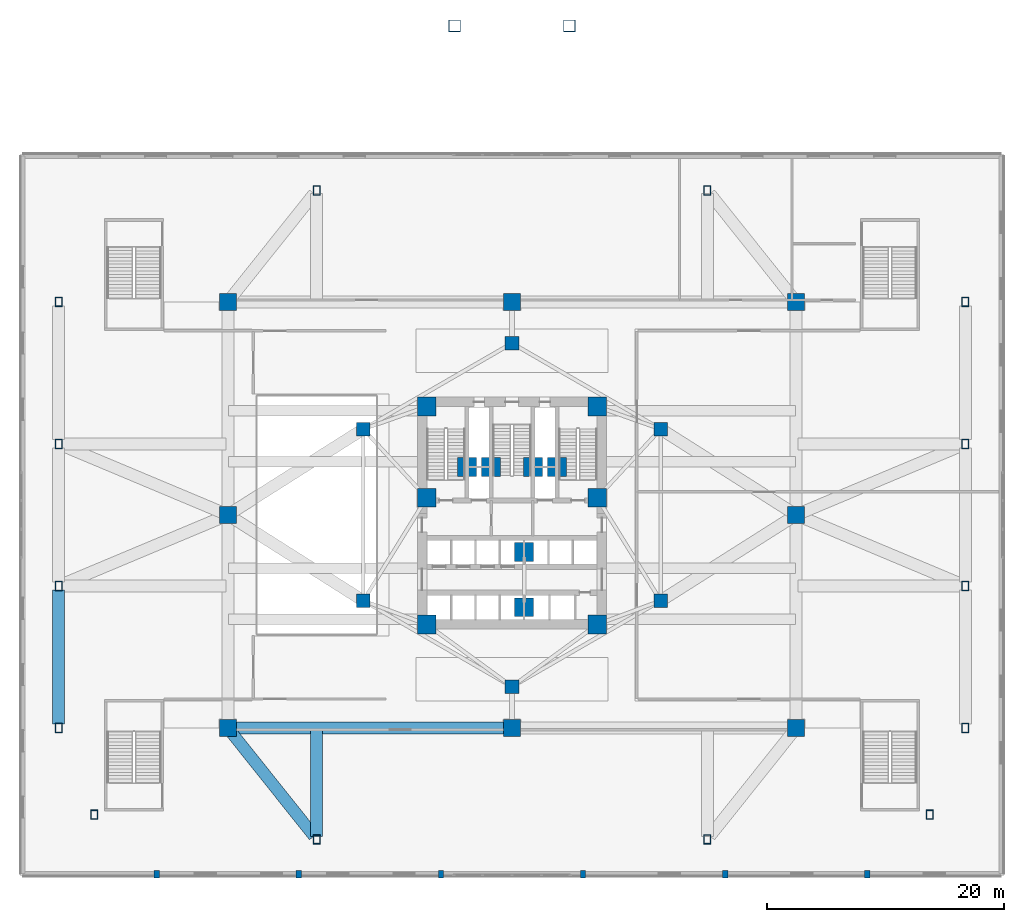
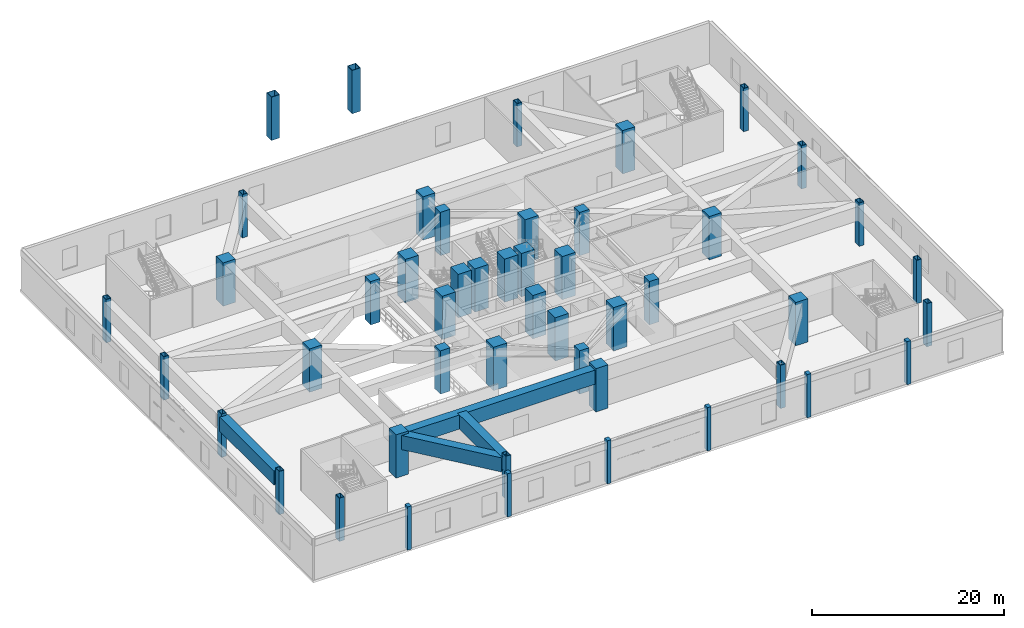
# One storey, part 1 of 23: 48 columns, 4 beams.
"""IFC4 building model written with IfcOpenShell, lengths in metres."""

from ifc_helpers import new_model, si_unit, direction, frame, origin, origin_2d, place, context, subcontext, project, spatial, rectangle, hollow_rectangle, extrude, material, material_profile, profile_set, type_object, element, save


model = new_model("IFC4")

# Units and contexts
model_context = context("Model", 3, precision=1e-05, world=origin(), true_north=direction((0.0, 1.0)))
body_context = subcontext(model_context, "Body", "Model", "MODEL_VIEW")
ifc_project = project(units=[si_unit("LENGTHUNIT", "METRE"), si_unit("AREAUNIT", "SQUARE_METRE"), si_unit("VOLUMEUNIT", "CUBIC_METRE"), si_unit("PLANEANGLEUNIT", "RADIAN"), si_unit("MASSUNIT", "GRAM", prefix="KILO")], contexts=[model_context])

# Site, building, storey
site_placement = place(None, origin())
site = spatial("IfcSite", under=ifc_project, at=site_placement, CompositionType="ELEMENT")
building_placement = place(site_placement, origin())
building = spatial("IfcBuilding", under=site, at=building_placement, Name="Apsidion Concourse Tower", CompositionType="ELEMENT")
storey_placement = place(building_placement, frame((0.0, 0.0, 6.0)))
storey = spatial("IfcBuildingStorey", under=building, at=storey_placement, Name="L01", CompositionType="ELEMENT", Elevation=6.0)

# Columns
ifc_material_1 = material(Name="Structural steel ASTM A572 Grade 50", Category="steel")
ifc_material_profile_1 = material_profile(ifc_material_1, hollow_rectangle(XDim=1.0, YDim=1.0, WallThickness=0.06005859375, at=origin_2d()), Name="BOX1000X1000X60")
ifc_profile_set_1 = profile_set([ifc_material_profile_1], Name="Structural steel ASTM A572 Grade 50")
column_type_1 = type_object("IfcColumnType", Name="COL-BOX-1000", PredefinedType="COLUMN", material=ifc_profile_set_1)
for number, where, z_axis, x_axis, name in (
    (1, (-4.845703125, 41.306884765625, 0.0), (0.0, 0.0, 1.0), (1.0, 0.0, 0.0), "L01 North Forecourt Prow Colonnade Column PRW-W"),
    (2, (4.845703125, 41.306884765625, 0.0), (0.0, 0.0, 1.0), (1.0, 0.0, 0.0), "L01 North Forecourt Prow Colonnade Column PRW-E"),
):
    element("IfcColumn", number, at=place(storey_placement, frame(where, z_axis=z_axis, x_axis=x_axis)), inside=storey, type_object=column_type_1, Name=name, PredefinedType="COLUMN", context=body_context, shape_type="SweptSolid", body=[
        extrude(hollow_rectangle(XDim=1.0, YDim=1.0, WallThickness=0.06005859375, at=origin_2d()), origin(), (0.0, 0.0, 1.0), 5.5),
    ])
ifc_material_profile_2 = material_profile(ifc_material_1, hollow_rectangle(XDim=0.60009765625, YDim=0.800048828125, WallThickness=0.050048828125, at=origin_2d()), Name="BOX800X600X50")
ifc_profile_set_2 = profile_set([ifc_material_profile_2], Name="Structural steel ASTM A572 Grade 50")
column_type_2 = type_object("IfcColumnType", Name="COL-BOX-800", PredefinedType="COLUMN", material=ifc_profile_set_2)
for number, where, z_axis, x_axis, name in (
    (3, (-38.300048828125, -18.0, 0.0), (0.0, 0.0, 1.0), (1.0, 0.0, 0.0), "L01 Podium Perimeter Column PC01"),
    (4, (-38.300048828125, -6.0, 0.0), (0.0, 0.0, 1.0), (1.0, 0.0, 0.0), "L01 Podium Perimeter Column PC02"),
    (5, (-38.300048828125, 6.0, 0.0), (0.0, 0.0, 1.0), (1.0, 0.0, 0.0), "L01 Podium Perimeter Column PC03"),
    (6, (-38.300048828125, 18.0, 0.0), (0.0, 0.0, 1.0), (1.0, 0.0, 0.0), "L01 Podium Perimeter Column PC04"),
    (7, (38.300048828125, -18.0, 0.0), (0.0, 0.0, 1.0), (1.0, 0.0, 0.0), "L01 Podium Perimeter Column PC05"),
    (8, (38.300048828125, -6.0, 0.0), (0.0, 0.0, 1.0), (1.0, 0.0, 0.0), "L01 Podium Perimeter Column PC06"),
    (9, (38.300048828125, 6.0, 0.0), (0.0, 0.0, 1.0), (1.0, 0.0, 0.0), "L01 Podium Perimeter Column PC07"),
    (10, (38.300048828125, 18.0, 0.0), (0.0, 0.0, 1.0), (1.0, 0.0, 0.0), "L01 Podium Perimeter Column PC08"),
    (11, (-16.5, -27.39990234375, 0.0), (0.0, 0.0, 1.0), (1.0, 0.0, 0.0), "L01 Podium Perimeter Column PC09"),
    (12, (16.5, -27.39990234375, 0.0), (0.0, 0.0, 1.0), (1.0, 0.0, 0.0), "L01 Podium Perimeter Column PC10"),
    (13, (-16.5, 27.39990234375, 0.0), (0.0, 0.0, 1.0), (1.0, 0.0, 0.0), "L01 Podium Perimeter Column PC11"),
    (14, (16.5, 27.39990234375, 0.0), (0.0, 0.0, 1.0), (1.0, 0.0, 0.0), "L01 Podium Perimeter Column PC12"),
    (15, (-35.300048828125, -25.320068359375, 0.0), (0.0, 0.0, 1.0), (1.0, 0.0, 0.0), "L01 Podium South Corner Column SWCR-W"),
    (16, (35.300048828125, -25.320068359375, 0.0), (0.0, 0.0, 1.0), (1.0, 0.0, 0.0), "L01 Podium South Corner Column SWCR-E"),
):
    element("IfcColumn", number, at=place(storey_placement, frame(where, z_axis=z_axis, x_axis=x_axis)), inside=storey, type_object=column_type_2, Name=name, PredefinedType="COLUMN", context=body_context, shape_type="SweptSolid", body=[
        extrude(hollow_rectangle(XDim=0.60009765625, YDim=0.800048828125, WallThickness=0.050048828125, at=origin_2d()), origin(), (0.0, 0.0, 1.0), 5.5),
    ])
ifc_material_2 = material(Name="Precast concrete C40/50", Category="concrete")
ifc_material_profile_3 = material_profile(ifc_material_2, rectangle(XDim=0.449951171875, YDim=0.60009765625, at=origin_2d()), Name="RC 600x450")
ifc_profile_set_3 = profile_set([ifc_material_profile_3], Name="Precast concrete C40/50")
column_type_3 = type_object("IfcColumnType", Name="COL-PIL-600", PredefinedType="PILASTER", material=ifc_profile_set_3)
for number, where, z_axis, x_axis, name in (
    (17, (-30.0, -30.35009765625, 0.0), (0.0, 0.0, 1.0), (1.0, 0.0, 0.0), "L01 Street Concourse Stone Pilaster PIL-01"),
    (18, (-18.0, -30.35009765625, 0.0), (0.0, 0.0, 1.0), (1.0, 0.0, 0.0), "L01 Street Concourse Stone Pilaster PIL-02"),
    (19, (-6.0, -30.35009765625, 0.0), (0.0, 0.0, 1.0), (1.0, 0.0, 0.0), "L01 Street Concourse Stone Pilaster PIL-03"),
    (20, (6.0, -30.35009765625, 0.0), (0.0, 0.0, 1.0), (1.0, 0.0, 0.0), "L01 Street Concourse Stone Pilaster PIL-04"),
    (21, (18.0, -30.35009765625, 0.0), (0.0, 0.0, 1.0), (1.0, 0.0, 0.0), "L01 Street Concourse Stone Pilaster PIL-05"),
    (22, (30.0, -30.35009765625, 0.0), (0.0, 0.0, 1.0), (1.0, 0.0, 0.0), "L01 Street Concourse Stone Pilaster PIL-06"),
):
    element("IfcColumn", number, at=place(storey_placement, frame(where, z_axis=z_axis, x_axis=x_axis)), inside=storey, type_object=column_type_3, Name=name, PredefinedType="PILASTER", context=body_context, shape_type="SweptSolid", body=[
        extrude(rectangle(XDim=0.449951171875, YDim=0.60009765625, at=origin_2d()), origin(), (0.0, 0.0, 1.0), 5.5),
    ])
ifc_material_3 = material(Name="Concrete C50/60", Category="concrete")
ifc_material_profile_4 = material_profile(ifc_material_3, rectangle(XDim=1.14990234375, YDim=1.14990234375, at=origin_2d()), Name="RC 1150x1150")
ifc_profile_set_4 = profile_set([ifc_material_profile_4], Name="Concrete C50/60")
column_type_4 = type_object("IfcColumnType", Name="COL-RC-1150", PredefinedType="COLUMN", material=ifc_profile_set_4)
for number, where, z_axis, x_axis, name in (
    (23, (-12.56005859375, -7.25, 0.0), (0.0, 0.0, 1.0), (1.0, 0.0, 0.0), "L01 Interior Spine Column IC1"),
    (24, (12.56005859375, -7.25, 0.0), (0.0, 0.0, 1.0), (1.0, 0.0, 0.0), "L01 Interior Spine Column IC2"),
    (25, (12.56005859375, 7.25, 0.0), (0.0, 0.0, 1.0), (1.0, 0.0, 0.0), "L01 Interior Spine Column IC3"),
    (26, (0.0, 14.5, 0.0), (0.0, 0.0, 1.0), (1.0, 0.0, 0.0), "L01 Interior Spine Column IC4"),
    (27, (-12.56005859375, 7.25, 0.0), (0.0, 0.0, 1.0), (1.0, 0.0, 0.0), "L01 Interior Spine Column IC5"),
    (28, (0.0, -14.5, 0.0), (0.0, 0.0, 1.0), (1.0, 0.0, 0.0), "L01 Interior Spine Column IC6"),
):
    element("IfcColumn", number, at=place(storey_placement, frame(where, z_axis=z_axis, x_axis=x_axis)), inside=storey, type_object=column_type_4, Name=name, PredefinedType="COLUMN", context=body_context, shape_type="SweptSolid", body=[
        extrude(rectangle(XDim=1.14990234375, YDim=1.14990234375, at=origin_2d()), origin(), (0.0, 0.0, 1.0), 5.5),
    ])
ifc_material_4 = material(Name="Concrete C60/75", Category="concrete")
ifc_material_profile_5 = material_profile(ifc_material_4, rectangle(XDim=1.449951171875, YDim=1.449951171875, at=origin_2d()), Name="RC 1450x1450")
ifc_profile_set_5 = profile_set([ifc_material_profile_5], Name="Concrete C60/75")
column_type_5 = type_object("IfcColumnType", Name="COL-RC-1450", PredefinedType="COLUMN", material=ifc_profile_set_5)
for number, where, z_axis, x_axis, name in (
    (29, (-24.0, -18.0, 0.0), (0.0, 0.0, 1.0), (1.0, 0.0, 0.0), "L01 Podium Mega-Column MC1"),
    (30, (24.0, -18.0, 0.0), (0.0, 0.0, 1.0), (1.0, 0.0, 0.0), "L01 Podium Mega-Column MC2"),
    (31, (-24.0, 0.0, 0.0), (0.0, 0.0, 1.0), (1.0, 0.0, 0.0), "L01 Podium Mega-Column MC3"),
    (32, (24.0, 0.0, 0.0), (0.0, 0.0, 1.0), (1.0, 0.0, 0.0), "L01 Podium Mega-Column MC4"),
    (33, (-24.0, 18.0, 0.0), (0.0, 0.0, 1.0), (1.0, 0.0, 0.0), "L01 Podium Mega-Column MC5"),
    (34, (24.0, 18.0, 0.0), (0.0, 0.0, 1.0), (1.0, 0.0, 0.0), "L01 Podium Mega-Column MC6"),
    (35, (0.0, -18.0, 0.0), (0.0, 0.0, 1.0), (1.0, 0.0, 0.0), "L01 Podium Mega-Column MC7"),
    (36, (0.0, 18.0, 0.0), (0.0, 0.0, 1.0), (1.0, 0.0, 0.0), "L01 Podium Mega-Column MC8"),
):
    element("IfcColumn", number, at=place(storey_placement, frame(where, z_axis=z_axis, x_axis=x_axis)), inside=storey, type_object=column_type_5, Name=name, PredefinedType="COLUMN", context=body_context, shape_type="SweptSolid", body=[
        extrude(rectangle(XDim=1.449951171875, YDim=1.449951171875, at=origin_2d()), origin(), (0.0, 0.0, 1.0), 5.5),
    ])
ifc_material_profile_6 = material_profile(ifc_material_4, rectangle(XDim=1.60009765625, YDim=1.60009765625, at=origin_2d()), Name="RC 1600x1600")
ifc_profile_set_6 = profile_set([ifc_material_profile_6], Name="Concrete C60/75")
column_type_6 = type_object("IfcColumnType", Name="COL-RC-1600", PredefinedType="COLUMN", material=ifc_profile_set_6)
for number, where, z_axis, x_axis, name in (
    (37, (-7.199951171875, -9.25, 0.0), (0.0, 0.0, 1.0), (1.0, 0.0, 0.0), "L01 Core Super-Column SC1"),
    (38, (7.199951171875, -9.25, 0.0), (0.0, 0.0, 1.0), (1.0, 0.0, 0.0), "L01 Core Super-Column SC2"),
    (39, (7.199951171875, 1.449951171875, 0.0), (0.0, 0.0, 1.0), (1.0, 0.0, 0.0), "L01 Core Super-Column SC3"),
    (40, (7.199951171875, 9.14990234375, 0.0), (0.0, 0.0, 1.0), (1.0, 0.0, 0.0), "L01 Core Super-Column SC4"),
    (41, (-7.199951171875, 9.14990234375, 0.0), (0.0, 0.0, 1.0), (1.0, 0.0, 0.0), "L01 Core Super-Column SC5"),
    (42, (-7.199951171875, 1.449951171875, 0.0), (0.0, 0.0, 1.0), (1.0, 0.0, 0.0), "L01 Core Super-Column SC6"),
    (43, (-3.800048828125, 4.050048828125, 0.0), (0.0, 0.0, 1.0), (1.0, 0.0, 0.0), "L01 Core Super-Column CC1"),
    (44, (3.800048828125, 4.050048828125, 0.0), (0.0, 0.0, 1.0), (1.0, 0.0, 0.0), "L01 Core Super-Column CC2"),
    (45, (-1.77490234375, 4.050048828125, 0.0), (0.0, 0.0, 1.0), (1.0, 0.0, 0.0), "L01 Core Super-Column CC3"),
    (46, (1.77490234375, 4.050048828125, 0.0), (0.0, 0.0, 1.0), (1.0, 0.0, 0.0), "L01 Core Super-Column CC4"),
    (47, (1.02490234375, -3.14990234375, 0.0), (0.0, 0.0, 1.0), (1.0, 0.0, 0.0), "L01 Core Super-Column CC5"),
    (48, (1.02490234375, -7.800048828125, 0.0), (0.0, 0.0, 1.0), (1.0, 0.0, 0.0), "L01 Core Super-Column CC6"),
):
    element("IfcColumn", number, at=place(storey_placement, frame(where, z_axis=z_axis, x_axis=x_axis)), inside=storey, type_object=column_type_6, Name=name, PredefinedType="COLUMN", context=body_context, shape_type="SweptSolid", body=[
        extrude(rectangle(XDim=1.60009765625, YDim=1.60009765625, at=origin_2d()), origin(), (0.0, 0.0, 1.0), 5.5),
    ])

# Beams
ifc_material_profile_7 = material_profile(ifc_material_1, hollow_rectangle(XDim=1.0, YDim=1.800048828125, WallThickness=0.080078125, at=origin_2d()), Name="BOX1800X1000X80")
ifc_profile_set_7 = profile_set([ifc_material_profile_7], Name="Structural steel ASTM A572 Grade 50")
beam_type = type_object("IfcBeamType", Name="BM-TR-1800", PredefinedType="USERDEFINED", material=ifc_profile_set_7)
beam_1_placement = place(storey_placement, frame((-23.64990234375, -18.0, 4.300048828125), z_axis=(1.0, 0.0, 0.0), x_axis=(0.0, 1.0, 0.0)))
element("IfcBeam", 49, at=beam_1_placement, inside=storey, type_object=beam_type, Name="L01 Podium Transfer Collector Girder MC1-MC7", ObjectType="GIRDER", PredefinedType="USERDEFINED", context=body_context, shape_type="SweptSolid", body=[
    extrude(hollow_rectangle(XDim=1.0, YDim=1.800048828125, WallThickness=0.080078125, at=origin_2d()), origin(), (0.0, 0.0, 1.0), 23.2998046875),
])
beam_2_placement = place(storey_placement, frame((-16.5, -27.14990234375, 4.300048828125), z_axis=(0.0, 1.0, 0.0), x_axis=(-1.0, 0.0, 0.0)))
element("IfcBeam", 50, at=beam_2_placement, inside=storey, type_object=beam_type, Name="L01 Podium Radial Frame Girder PC09", ObjectType="GIRDER", PredefinedType="USERDEFINED", context=body_context, shape_type="SweptSolid", body=[
    extrude(hollow_rectangle(XDim=1.0, YDim=1.800048828125, WallThickness=0.080078125, at=origin_2d()), origin(), (0.0, 0.0, 1.0), 9.0),
])
beam_3_placement = place(storey_placement, frame((-16.71826171875, -27.12646484375, 4.300048828125), z_axis=(-0.623685030382, 0.781675753031, 0.0), x_axis=(-0.781675753031, -0.623685030382, 0.0)))
element("IfcBeam", 51, at=beam_3_placement, inside=storey, type_object=beam_type, Name="L01 Podium Diagonal Frame Tie PC09", ObjectType="GIRDER", PredefinedType="USERDEFINED", context=body_context, shape_type="SweptSolid", body=[
    extrude(hollow_rectangle(XDim=1.0, YDim=1.800048828125, WallThickness=0.080078125, at=origin_2d()), origin(), (0.0, 0.0, 1.0), 11.325439453125),
])
beam_4_placement = place(storey_placement, frame((-38.300048828125, -17.64990234375, 4.300048828125), z_axis=(0.0, 1.0, 0.0), x_axis=(-1.0, 0.0, 0.0)))
element("IfcBeam", 52, at=beam_4_placement, inside=storey, type_object=beam_type, Name="L01 Podium Spandrel Girder PC01-PC02", ObjectType="GIRDER", PredefinedType="USERDEFINED", context=body_context, shape_type="SweptSolid", body=[
    extrude(hollow_rectangle(XDim=1.0, YDim=1.800048828125, WallThickness=0.080078125, at=origin_2d()), origin(), (0.0, 0.0, 1.0), 11.2998046875),
])

save(model, "model.ifc")
